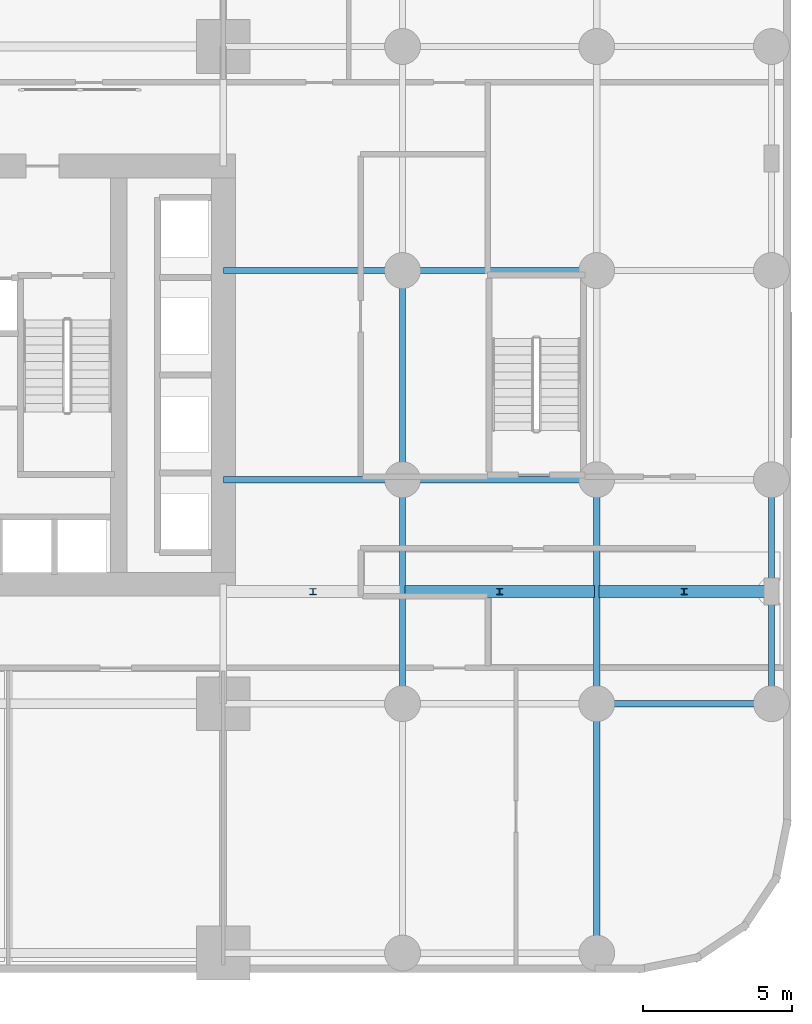
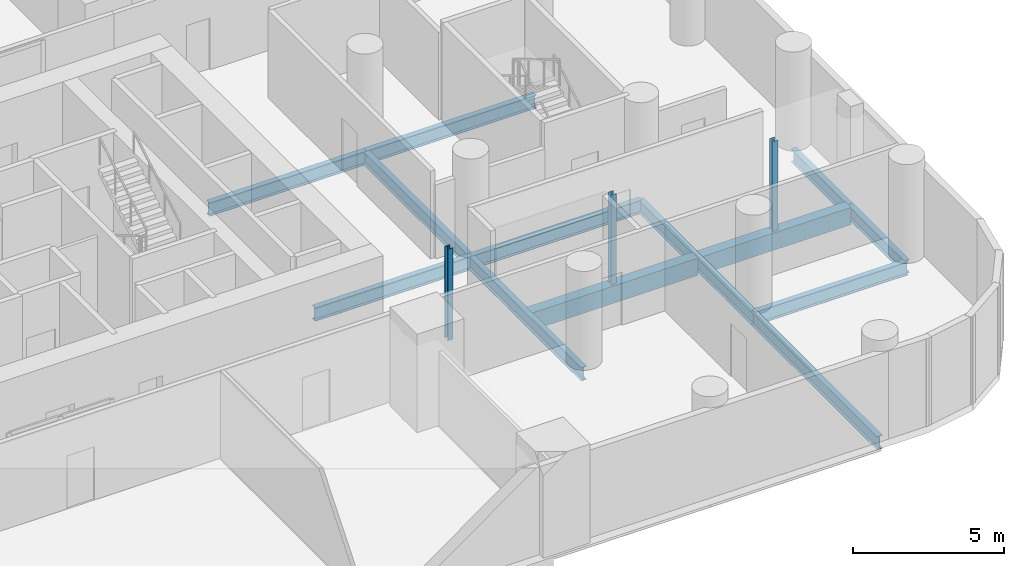
# One storey, part 6 of 15: 13 beams, 3 members.
"""IFC4 building model written with IfcOpenShell, lengths in metres."""

from ifc_helpers import new_model, si_unit, direction, frame, origin, origin_2d, place, context, subcontext, project, spatial, rectangle, i_section, extrude, material, material_profile, profile_set, type_object, element, save


model = new_model("IFC4")

# Units and contexts
model_context = context("Model", 3, precision=1e-05, world=origin(), true_north=direction((0.0, 1.0)))
body_context = subcontext(model_context, "Body", "Model", "MODEL_VIEW")
ifc_project = project(units=[si_unit("LENGTHUNIT", "METRE"), si_unit("AREAUNIT", "SQUARE_METRE"), si_unit("VOLUMEUNIT", "CUBIC_METRE"), si_unit("PLANEANGLEUNIT", "RADIAN"), si_unit("MASSUNIT", "GRAM", prefix="KILO")], contexts=[model_context])

# Site, building, storey
site_placement = place(None, origin())
site = spatial("IfcSite", under=ifc_project, at=site_placement, CompositionType="ELEMENT")
building_placement = place(site_placement, origin())
building = spatial("IfcBuilding", under=site, at=building_placement, Name="Veldorim Arch Residences", CompositionType="ELEMENT")
storey_placement = place(building_placement, frame((0.0, 0.0, 16.0)))
storey = spatial("IfcBuildingStorey", under=building, at=storey_placement, Name="L04", CompositionType="ELEMENT", Elevation=16.0)

# Beams
ifc_material_1 = material(Name="Concrete C50/60", Category="concrete")
ifc_material_profile_1 = material_profile(ifc_material_1, rectangle(XDim=0.39990234375, YDim=0.699951171875, at=origin_2d()), Name="RC_RECT_400x700")
ifc_profile_set_1 = profile_set([ifc_material_profile_1], Name="Concrete C50/60")
beam_type_1 = type_object("IfcBeamType", Name="Reinforced Concrete Lintel RC_RECT_400x700", PredefinedType="LINTEL", material=ifc_profile_set_1)
beam_1_placement = place(storey_placement, frame((47.080078125, 16.75, -0.6298828125), z_axis=(1.0, 0.0, 0.0), x_axis=(0.0, 1.0, 0.0)))
element("IfcBeam", 1, at=beam_1_placement, inside=storey, type_object=beam_type_1, Name="L04 clinic opening structural lintel 05", PredefinedType="LINTEL", context=body_context, shape_type="SweptSolid", body=[
    extrude(rectangle(XDim=0.39990234375, YDim=0.699951171875, at=origin_2d()), origin(), (0.0, 0.0, 1.0), 6.33984375),
])
beam_2_placement = place(storey_placement, frame((53.580078125, 16.75, -0.6298828125), z_axis=(1.0, 0.0, 0.0), x_axis=(0.0, 1.0, 0.0)))
element("IfcBeam", 2, at=beam_2_placement, inside=storey, type_object=beam_type_1, Name="L04 clinic opening structural lintel 06", PredefinedType="LINTEL", context=body_context, shape_type="SweptSolid", body=[
    extrude(rectangle(XDim=0.39990234375, YDim=0.699951171875, at=origin_2d()), origin(), (0.0, 0.0, 1.0), 5.68994140625),
])
ifc_material_2 = material(Name="Steel S355", Category="steel")
ifc_material_profile_2 = material_profile(ifc_material_2, i_section(OverallWidth=0.2099609375, OverallDepth=0.53662109375, WebThickness=0.0107421875, FlangeThickness=0.017333984375, at=origin_2d()), Name="UB533x210x101")
ifc_profile_set_2 = profile_set([ifc_material_profile_2], Name="Steel S355")
beam_type_2 = type_object("IfcBeamType", Name="Structural Steel Beam UB533x210x101", PredefinedType="BEAM", material=ifc_profile_set_2)
beam_3_placement = place(storey_placement, frame((47.0, 13.0, -0.54833984375), z_axis=(0.0, 1.0, 0.0), x_axis=(-1.0, 0.0, 0.0)))
element("IfcBeam", 3, at=beam_3_placement, inside=storey, type_object=beam_type_2, Name="L04 north-south floor beam (X=47.0, 13.0-20.5)", PredefinedType="BEAM", context=body_context, shape_type="SweptSolid", body=[
    extrude(i_section(OverallWidth=0.2099609375, OverallDepth=0.53662109375, WebThickness=0.0107421875, FlangeThickness=0.017333984375, at=origin_2d()), origin(), (0.0, 0.0, 1.0), 7.5),
])
beam_4_placement = place(storey_placement, frame((47.0, 20.5, -0.54833984375), z_axis=(0.0, 1.0, 0.0), x_axis=(-1.0, 0.0, 0.0)))
element("IfcBeam", 4, at=beam_4_placement, inside=storey, type_object=beam_type_2, Name="L04 north-south floor beam (X=47.0, 20.5-27.5)", PredefinedType="BEAM", context=body_context, shape_type="SweptSolid", body=[
    extrude(i_section(OverallWidth=0.2099609375, OverallDepth=0.53662109375, WebThickness=0.0107421875, FlangeThickness=0.017333984375, at=origin_2d()), origin(), (0.0, 0.0, 1.0), 7.0),
])
beam_5_placement = place(storey_placement, frame((53.5, 4.64990234375, -0.54833984375), z_axis=(0.0, 1.0, 0.0), x_axis=(-1.0, 0.0, 0.0)))
element("IfcBeam", 5, at=beam_5_placement, inside=storey, type_object=beam_type_2, Name="L04 north-south floor beam (X=53.5, 4.7-13.0)", PredefinedType="BEAM", context=body_context, shape_type="SweptSolid", body=[
    extrude(i_section(OverallWidth=0.2099609375, OverallDepth=0.53662109375, WebThickness=0.0107421875, FlangeThickness=0.017333984375, at=origin_2d()), origin(), (0.0, 0.0, 1.0), 8.35009765625),
])
beam_6_placement = place(storey_placement, frame((53.5, 13.0, -0.54833984375), z_axis=(0.0, 1.0, 0.0), x_axis=(-1.0, 0.0, 0.0)))
element("IfcBeam", 6, at=beam_6_placement, inside=storey, type_object=beam_type_2, Name="L04 north-south floor beam (X=53.5, 13.0-20.5)", PredefinedType="BEAM", context=body_context, shape_type="SweptSolid", body=[
    extrude(i_section(OverallWidth=0.2099609375, OverallDepth=0.53662109375, WebThickness=0.0107421875, FlangeThickness=0.017333984375, at=origin_2d()), origin(), (0.0, 0.0, 1.0), 7.5),
])
for number, where, z_axis, x_axis, name in (
    (7, (59.35009765625, 13.0, -0.54833984375), (0.0, 1.0, 0.0), (-1.0, 0.0, 0.0), "L04 north-south floor beam (X=59.4, 13.0-16.8)"),
    (8, (59.35009765625, 16.75, -0.54833984375), (0.0, 1.0, 0.0), (-1.0, 0.0, 0.0), "L04 north-south floor beam (X=59.4, 16.8-20.5)"),
):
    element("IfcBeam", number, at=place(storey_placement, frame(where, z_axis=z_axis, x_axis=x_axis)), inside=storey, type_object=beam_type_2, Name=name, PredefinedType="BEAM", context=body_context, shape_type="SweptSolid", body=[
        extrude(i_section(OverallWidth=0.2099609375, OverallDepth=0.53662109375, WebThickness=0.0107421875, FlangeThickness=0.017333984375, at=origin_2d()), origin(), (0.0, 0.0, 1.0), 3.75),
    ])
ifc_material_3 = material(Name="Steel S355", Category="steel")
ifc_material_profile_3 = material_profile(ifc_material_3, i_section(OverallWidth=0.2119140625, OverallDepth=0.54443359375, WebThickness=0.0126953125, FlangeThickness=0.021240234375, at=origin_2d()), Name="UB533x210x122")
ifc_profile_set_3 = profile_set([ifc_material_profile_3], Name="Steel S355")
beam_type_3 = type_object("IfcBeamType", Name="Structural Steel Beam UB533x210x122", PredefinedType="BEAM", material=ifc_profile_set_3)
beam_7_placement = place(storey_placement, frame((53.5, 13.0, -0.55224609375), z_axis=(1.0, 0.0, 0.0), x_axis=(0.0, 1.0, 0.0)))
element("IfcBeam", 9, at=beam_7_placement, inside=storey, type_object=beam_type_3, Name="L04 east-west floor beam (53.5-59.4, Y=13.0)", PredefinedType="BEAM", context=body_context, shape_type="SweptSolid", body=[
    extrude(i_section(OverallWidth=0.2119140625, OverallDepth=0.54443359375, WebThickness=0.0126953125, FlangeThickness=0.021240234375, at=origin_2d()), origin(), (0.0, 0.0, 1.0), 5.85009765625),
])
beam_8_placement = place(storey_placement, frame((41.0, 20.5, -0.55224609375), z_axis=(1.0, 0.0, 0.0), x_axis=(0.0, 1.0, 0.0)))
element("IfcBeam", 10, at=beam_8_placement, inside=storey, type_object=beam_type_3, Name="L04 east-west floor beam (41.0-47.0, Y=20.5)", PredefinedType="BEAM", context=body_context, shape_type="SweptSolid", body=[
    extrude(i_section(OverallWidth=0.2119140625, OverallDepth=0.54443359375, WebThickness=0.0126953125, FlangeThickness=0.021240234375, at=origin_2d()), origin(), (0.0, 0.0, 1.0), 6.0),
])
beam_9_placement = place(storey_placement, frame((47.0, 20.5, -0.55224609375), z_axis=(1.0, 0.0, 0.0), x_axis=(0.0, 1.0, 0.0)))
element("IfcBeam", 11, at=beam_9_placement, inside=storey, type_object=beam_type_3, Name="L04 east-west floor beam (47.0-53.5, Y=20.5)", PredefinedType="BEAM", context=body_context, shape_type="SweptSolid", body=[
    extrude(i_section(OverallWidth=0.2119140625, OverallDepth=0.54443359375, WebThickness=0.0126953125, FlangeThickness=0.021240234375, at=origin_2d()), origin(), (0.0, 0.0, 1.0), 6.5),
])
beam_10_placement = place(storey_placement, frame((41.0, 27.5, -0.55224609375), z_axis=(1.0, 0.0, 0.0), x_axis=(0.0, 1.0, 0.0)))
element("IfcBeam", 12, at=beam_10_placement, inside=storey, type_object=beam_type_3, Name="L04 east-west floor beam (41.0-47.0, Y=27.5)", PredefinedType="BEAM", context=body_context, shape_type="SweptSolid", body=[
    extrude(i_section(OverallWidth=0.2119140625, OverallDepth=0.54443359375, WebThickness=0.0126953125, FlangeThickness=0.021240234375, at=origin_2d()), origin(), (0.0, 0.0, 1.0), 6.0),
])
beam_11_placement = place(storey_placement, frame((47.0, 27.5, -0.55224609375), z_axis=(1.0, 0.0, 0.0), x_axis=(0.0, 1.0, 0.0)))
element("IfcBeam", 13, at=beam_11_placement, inside=storey, type_object=beam_type_3, Name="L04 east-west floor beam (47.0-53.5, Y=27.5)", PredefinedType="BEAM", context=body_context, shape_type="SweptSolid", body=[
    extrude(i_section(OverallWidth=0.2119140625, OverallDepth=0.54443359375, WebThickness=0.0126953125, FlangeThickness=0.021240234375, at=origin_2d()), origin(), (0.0, 0.0, 1.0), 6.5),
])

# Members
ifc_material_4 = material(Name="Steel S355", Category="steel")
ifc_material_profile_4 = material_profile(ifc_material_4, i_section(OverallWidth=0.205810546875, OverallDepth=0.209716796875, WebThickness=0.009521484375, FlangeThickness=0.01416015625, at=origin_2d()), Name="UC203x203x60")
ifc_profile_set_4 = profile_set([ifc_material_profile_4], Name="Steel S355")
member_type = type_object("IfcMemberType", Name="Truss Post UC203x203x60", PredefinedType="POST", material=ifc_profile_set_4)
for number, where, z_axis, x_axis, name in (
    (14, (44.0, 16.75, -0.35009765625), (0.0, 0.0, 1.0), (1.0, 0.0, 0.0), "L04 mechanical riser trimmer post 04"),
    (15, (50.25, 16.75, -0.35009765625), (0.0, 0.0, 1.0), (1.0, 0.0, 0.0), "L04 mechanical riser trimmer post 05"),
    (16, (56.425048828125, 16.75, -0.35009765625), (0.0, 0.0, 1.0), (1.0, 0.0, 0.0), "L04 mechanical riser trimmer post 06"),
):
    element("IfcMember", number, at=place(storey_placement, frame(where, z_axis=z_axis, x_axis=x_axis)), inside=storey, type_object=member_type, Name=name, PredefinedType="POST", context=body_context, shape_type="SweptSolid", body=[
        extrude(i_section(OverallWidth=0.205810546875, OverallDepth=0.209716796875, WebThickness=0.009521484375, FlangeThickness=0.01416015625, at=origin_2d()), origin(), (0.0, 0.0, 1.0), 3.7001953125),
    ])

save(model, "model.ifc")
